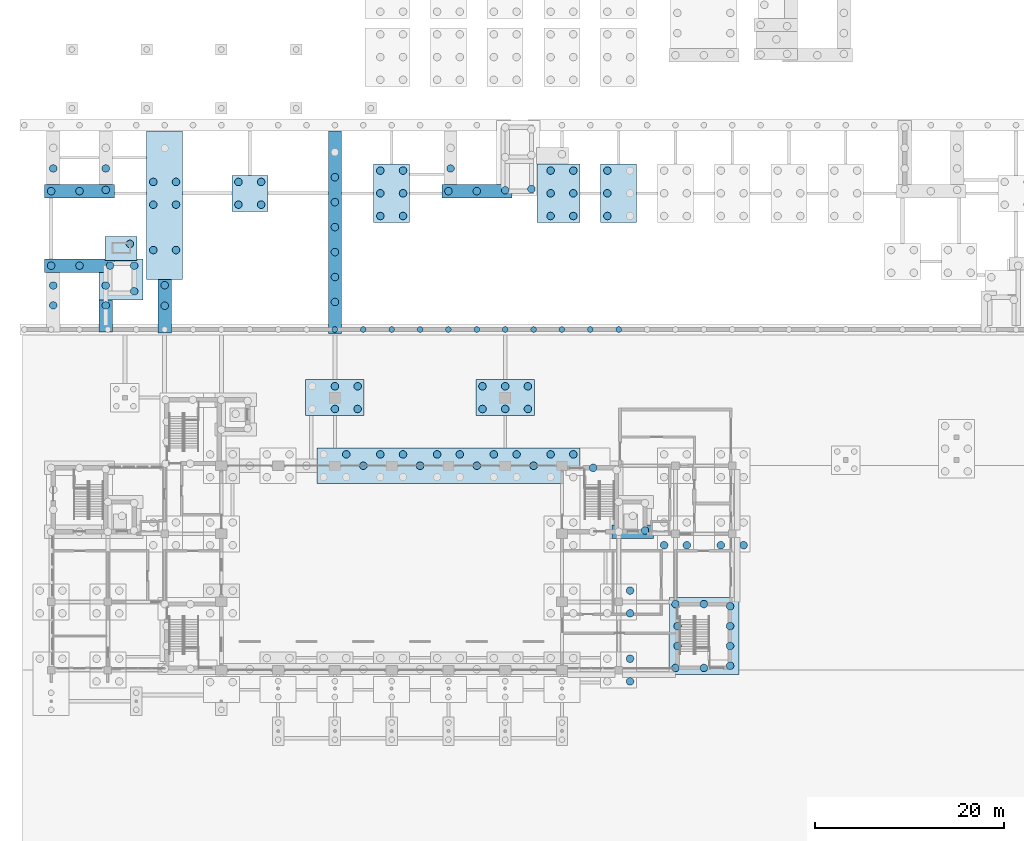
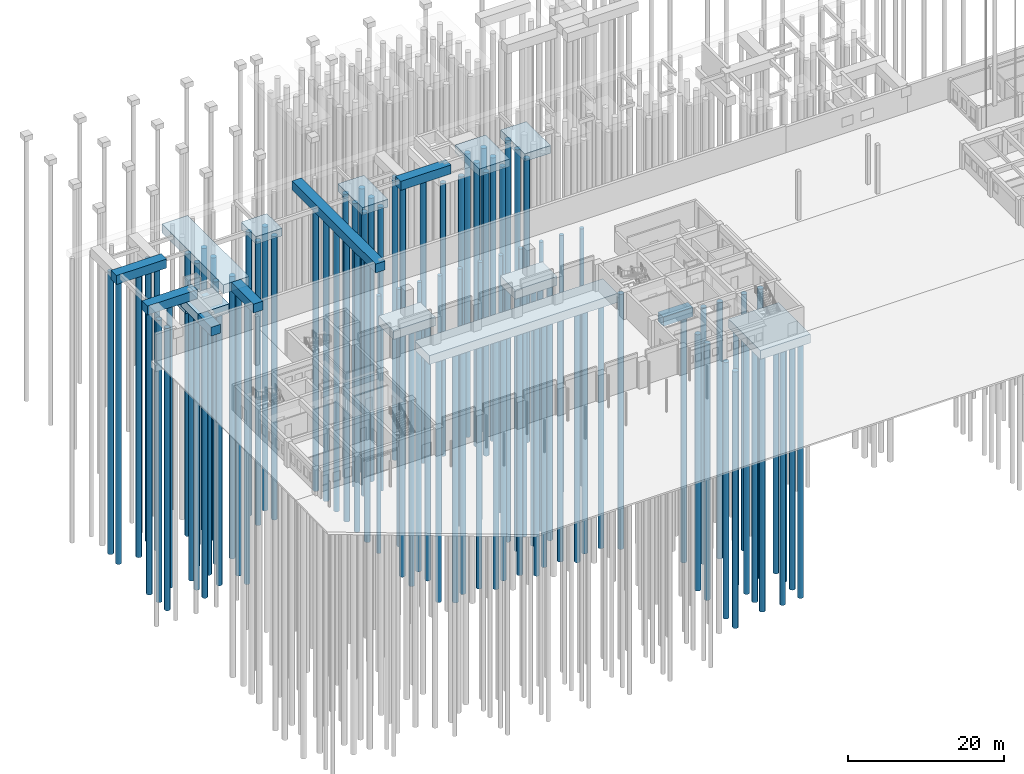
# One storey, part 3 of 37: 107 piles, 18 footings.
"""IFC4 building model written with IfcOpenShell, lengths in metres."""

from ifc_helpers import new_model, si_unit, direction, frame, origin, origin_2d, place, context, subcontext, project, spatial, polyline, circle, outline, extrude, material, layer, layer_set, material_profile, profile_set, type_object, element, save


model = new_model("IFC4")

# Units and contexts
model_context = context("Model", 3, precision=1e-05, world=origin(), true_north=direction((0.0, 1.0)))
body_context = subcontext(model_context, "Body", "Model", "MODEL_VIEW")
ifc_project = project(units=[si_unit("LENGTHUNIT", "METRE"), si_unit("AREAUNIT", "SQUARE_METRE"), si_unit("VOLUMEUNIT", "CUBIC_METRE"), si_unit("PLANEANGLEUNIT", "RADIAN"), si_unit("MASSUNIT", "GRAM", prefix="KILO")], contexts=[model_context])

# Site, building, storey
site_placement = place(None, origin())
site = spatial("IfcSite", under=ifc_project, at=site_placement, CompositionType="ELEMENT")
building_placement = place(site_placement, origin())
building = spatial("IfcBuilding", under=site, at=building_placement, Name="Laocheng Heights Fire and Rescue Headquarters", CompositionType="ELEMENT")
storey_placement = place(building_placement, origin())
storey = spatial("IfcBuildingStorey", under=building, at=storey_placement, Name="L00", CompositionType="ELEMENT", Elevation=0.0)

# Piles
ifc_material_1 = material(Name="Concrete C35", Category="concrete")
ifc_material_profile_1 = material_profile(ifc_material_1, circle(Radius=0.300048828125, at=origin_2d()), Name="BORED PILE D600")
ifc_profile_set_1 = profile_set([ifc_material_profile_1], Name="Concrete C35")
pile_type_1 = type_object("IfcPileType", Name="BORED PILE D600", PredefinedType="BORED", material=ifc_profile_set_1)
for number, where, z_axis, x_axis, name in (
    (1, (30.0, 36.0, -1.300048828125), (0.0, 0.0, -1.0), (1.0, 0.0, 0.0), "Bored pile D600"),
    (2, (33.0, 36.0, -1.300048828125), (0.0, 0.0, -1.0), (1.0, 0.0, 0.0), "Bored pile D600"),
    (3, (36.0, 36.0, -1.300048828125), (0.0, 0.0, -1.0), (1.0, 0.0, 0.0), "Bored pile D600"),
    (4, (39.0, 36.0, -1.300048828125), (0.0, 0.0, -1.0), (1.0, 0.0, 0.0), "Bored pile D600"),
    (5, (42.0, 36.0, -1.300048828125), (0.0, 0.0, -1.0), (1.0, 0.0, 0.0), "Bored pile D600"),
    (6, (45.0, 36.0, -1.300048828125), (0.0, 0.0, -1.0), (1.0, 0.0, 0.0), "Bored pile D600"),
    (7, (48.0, 36.0, -1.300048828125), (0.0, 0.0, -1.0), (1.0, 0.0, 0.0), "Bored pile D600"),
    (8, (51.0, 36.0, -1.300048828125), (0.0, 0.0, -1.0), (1.0, 0.0, 0.0), "Bored pile D600"),
    (9, (54.0, 36.0, -1.300048828125), (0.0, 0.0, -1.0), (1.0, 0.0, 0.0), "Bored pile D600"),
    (10, (57.0, 36.0, -1.300048828125), (0.0, 0.0, -1.0), (1.0, 0.0, 0.0), "Bored pile D600"),
    (11, (60.0, 36.0, -1.300048828125), (0.0, 0.0, -1.0), (1.0, 0.0, 0.0), "Bored pile D600"),
):
    element("IfcPile", number, at=place(storey_placement, frame(where, z_axis=z_axis, x_axis=x_axis)), inside=storey, type_object=pile_type_1, Name=name, PredefinedType="BORED", context=body_context, shape_type="SweptSolid", body=[
        extrude(circle(Radius=0.300048828125, at=origin_2d()), origin(), (0.0, 0.0, 1.0), 40.199951171875),
    ])
ifc_material_2 = material(Name="Concrete C35", Category="concrete")
ifc_material_profile_2 = material_profile(ifc_material_2, circle(Radius=0.39990234375, at=origin_2d()), Name="BORED PILE D800")
ifc_profile_set_2 = profile_set([ifc_material_profile_2], Name="Concrete C35")
pile_type_2 = type_object("IfcPileType", Name="BORED PILE D800", PredefinedType="BORED", material=ifc_profile_set_2)
for number, where, z_axis, x_axis, name in (
    (12, (61.199951171875, -1.199951171875, -1.449951171875), (0.0, 0.0, -1.0), (1.0, 0.0, 0.0), "Bored pile D800"),
    (13, (61.199951171875, 1.199951171875, -1.449951171875), (0.0, 0.0, -1.0), (1.0, 0.0, 0.0), "Bored pile D800"),
):
    element("IfcPile", number, at=place(storey_placement, frame(where, z_axis=z_axis, x_axis=x_axis)), inside=storey, type_object=pile_type_2, Name=name, PredefinedType="BORED", context=body_context, shape_type="SweptSolid", body=[
        extrude(circle(Radius=0.39990234375, at=origin_2d()), origin(), (0.0, 0.0, 1.0), 40.050048828125),
    ])
for number, where, z_axis, x_axis, name in (
    (14, (71.77490234375, 0.449951171875, -1.64990234375), (0.0, 0.0, -1.0), (1.0, 0.0, 0.0), "Bored pile D800"),
    (15, (71.77490234375, 2.550048828125, -1.64990234375), (0.0, 0.0, -1.0), (1.0, 0.0, 0.0), "Bored pile D800"),
    (16, (71.77490234375, 4.64990234375, -1.64990234375), (0.0, 0.0, -1.0), (1.0, 0.0, 0.0), "Bored pile D800"),
    (17, (71.77490234375, 6.75, -1.64990234375), (0.0, 0.0, -1.0), (1.0, 0.0, 0.0), "Bored pile D800"),
    (18, (66.0, 6.97509765625, -1.64990234375), (0.0, 0.0, -1.0), (1.0, 0.0, 0.0), "Bored pile D800"),
    (19, (69.0, 6.97509765625, -1.64990234375), (0.0, 0.0, -1.0), (1.0, 0.0, 0.0), "Bored pile D800"),
    (20, (66.0, 0.22509765625, -1.64990234375), (0.0, 0.0, -1.0), (1.0, 0.0, 0.0), "Bored pile D800"),
    (21, (69.0, 0.22509765625, -1.64990234375), (0.0, 0.0, -1.0), (1.0, 0.0, 0.0), "Bored pile D800"),
    (22, (66.22509765625, 2.550048828125, -1.64990234375), (0.0, 0.0, -1.0), (1.0, 0.0, 0.0), "Bored pile D800"),
    (23, (66.22509765625, 4.64990234375, -1.64990234375), (0.0, 0.0, -1.0), (1.0, 0.0, 0.0), "Bored pile D800"),
):
    element("IfcPile", number, at=place(storey_placement, frame(where, z_axis=z_axis, x_axis=x_axis)), inside=storey, type_object=pile_type_2, Name=name, PredefinedType="BORED", context=body_context, shape_type="SweptSolid", body=[
        extrude(circle(Radius=0.39990234375, at=origin_2d()), origin(), (0.0, 0.0, 1.0), 39.85009765625),
    ])
for number, where, z_axis, x_axis, name in (
    (24, (61.199951171875, 6.0, -1.449951171875), (0.0, 0.0, -1.0), (1.0, 0.0, 0.0), "Bored pile D800"),
    (25, (61.199951171875, 8.39990234375, -1.449951171875), (0.0, 0.0, -1.0), (1.0, 0.0, 0.0), "Bored pile D800"),
    (26, (64.800048828125, 13.199951171875, -1.449951171875), (0.0, 0.0, -1.0), (1.0, 0.0, 0.0), "Bored pile D800"),
    (27, (67.199951171875, 13.199951171875, -1.449951171875), (0.0, 0.0, -1.0), (1.0, 0.0, 0.0), "Bored pile D800"),
    (28, (70.800048828125, 13.199951171875, -1.449951171875), (0.0, 0.0, -1.0), (1.0, 0.0, 0.0), "Bored pile D800"),
    (29, (73.199951171875, 13.199951171875, -1.449951171875), (0.0, 0.0, -1.0), (1.0, 0.0, 0.0), "Bored pile D800"),
):
    element("IfcPile", number, at=place(storey_placement, frame(where, z_axis=z_axis, x_axis=x_axis)), inside=storey, type_object=pile_type_2, Name=name, PredefinedType="BORED", context=body_context, shape_type="SweptSolid", body=[
        extrude(circle(Radius=0.39990234375, at=origin_2d()), origin(), (0.0, 0.0, 1.0), 40.050048828125),
    ])
pile_1_placement = place(storey_placement, frame((62.77490234375, 14.7548828125, -3.10009765625), z_axis=(0.0, 0.0, -1.0), x_axis=(1.0, 0.0, 0.0)))
element("IfcPile", 30, at=pile_1_placement, inside=storey, type_object=pile_type_2, Name="Bored pile D800", PredefinedType="BORED", context=body_context, shape_type="SweptSolid", body=[
    extrude(circle(Radius=0.39990234375, at=origin_2d()), origin(), (0.0, 0.0, 1.0), 38.39990234375),
])
for number, where, z_axis, x_axis, name in (
    (31, (57.300048828125, 21.375, -1.64990234375), (0.0, 0.0, -1.0), (1.0, 0.0, 0.0), "Bored pile D800"),
    (32, (31.199951171875, 22.800048828125, -1.64990234375), (0.0, 0.0, -1.0), (1.0, 0.0, 0.0), "Bored pile D800"),
    (33, (34.800048828125, 22.800048828125, -1.64990234375), (0.0, 0.0, -1.0), (1.0, 0.0, 0.0), "Bored pile D800"),
    (34, (37.199951171875, 22.800048828125, -1.64990234375), (0.0, 0.0, -1.0), (1.0, 0.0, 0.0), "Bored pile D800"),
    (35, (40.800048828125, 22.800048828125, -1.64990234375), (0.0, 0.0, -1.0), (1.0, 0.0, 0.0), "Bored pile D800"),
    (36, (43.199951171875, 22.800048828125, -1.64990234375), (0.0, 0.0, -1.0), (1.0, 0.0, 0.0), "Bored pile D800"),
    (37, (46.800048828125, 22.800048828125, -1.64990234375), (0.0, 0.0, -1.0), (1.0, 0.0, 0.0), "Bored pile D800"),
    (38, (49.199951171875, 22.800048828125, -1.64990234375), (0.0, 0.0, -1.0), (1.0, 0.0, 0.0), "Bored pile D800"),
    (39, (52.800048828125, 22.800048828125, -1.64990234375), (0.0, 0.0, -1.0), (1.0, 0.0, 0.0), "Bored pile D800"),
    (40, (55.199951171875, 22.800048828125, -1.64990234375), (0.0, 0.0, -1.0), (1.0, 0.0, 0.0), "Bored pile D800"),
    (41, (33.0, 21.60009765625, -1.64990234375), (0.0, 0.0, -1.0), (1.0, 0.0, 0.0), "Bored pile D800"),
    (42, (39.0, 21.60009765625, -1.64990234375), (0.0, 0.0, -1.0), (1.0, 0.0, 0.0), "Bored pile D800"),
    (43, (45.0, 21.60009765625, -1.64990234375), (0.0, 0.0, -1.0), (1.0, 0.0, 0.0), "Bored pile D800"),
    (44, (51.0, 21.60009765625, -1.64990234375), (0.0, 0.0, -1.0), (1.0, 0.0, 0.0), "Bored pile D800"),
):
    element("IfcPile", number, at=place(storey_placement, frame(where, z_axis=z_axis, x_axis=x_axis)), inside=storey, type_object=pile_type_2, Name=name, PredefinedType="BORED", context=body_context, shape_type="SweptSolid", body=[
        extrude(circle(Radius=0.39990234375, at=origin_2d()), origin(), (0.0, 0.0, 1.0), 39.85009765625),
    ])
for number, where, z_axis, x_axis, name in (
    (45, (30.0, 27.60009765625, -1.699951171875), (0.0, 0.0, -1.0), (1.0, 0.0, 0.0), "Bored pile D800"),
    (46, (32.39990234375, 27.60009765625, -1.699951171875), (0.0, 0.0, -1.0), (1.0, 0.0, 0.0), "Bored pile D800"),
    (47, (30.0, 30.0, -1.699951171875), (0.0, 0.0, -1.0), (1.0, 0.0, 0.0), "Bored pile D800"),
    (48, (32.39990234375, 30.0, -1.699951171875), (0.0, 0.0, -1.0), (1.0, 0.0, 0.0), "Bored pile D800"),
    (49, (45.60009765625, 27.60009765625, -1.699951171875), (0.0, 0.0, -1.0), (1.0, 0.0, 0.0), "Bored pile D800"),
    (50, (48.0, 27.60009765625, -1.699951171875), (0.0, 0.0, -1.0), (1.0, 0.0, 0.0), "Bored pile D800"),
    (51, (50.39990234375, 27.60009765625, -1.699951171875), (0.0, 0.0, -1.0), (1.0, 0.0, 0.0), "Bored pile D800"),
    (52, (45.60009765625, 30.0, -1.699951171875), (0.0, 0.0, -1.0), (1.0, 0.0, 0.0), "Bored pile D800"),
    (53, (48.0, 30.0, -1.699951171875), (0.0, 0.0, -1.0), (1.0, 0.0, 0.0), "Bored pile D800"),
    (54, (50.39990234375, 30.0, -1.699951171875), (0.0, 0.0, -1.0), (1.0, 0.0, 0.0), "Bored pile D800"),
):
    element("IfcPile", number, at=place(storey_placement, frame(where, z_axis=z_axis, x_axis=x_axis)), inside=storey, type_object=pile_type_2, Name=name, PredefinedType="BORED", context=body_context, shape_type="SweptSolid", body=[
        extrude(circle(Radius=0.39990234375, at=origin_2d()), origin(), (0.0, 0.0, 1.0), 39.800048828125),
    ])
pile_2_placement = place(storey_placement, frame((5.77490234375, 38.550048828125, 1.10009765625), z_axis=(0.0, 0.0, -1.0), x_axis=(1.0, 0.0, 0.0)))
element("IfcPile", 55, at=pile_2_placement, inside=storey, type_object=pile_type_2, Name="Bored pile D800", PredefinedType="BORED", context=body_context, shape_type="SweptSolid", body=[
    extrude(circle(Radius=0.39990234375, at=origin_2d()), origin(), (0.0, 0.0, 1.0), 42.60009765625),
])
for number, where, z_axis, x_axis, name in (
    (56, (12.0, 38.5166015625, 2.60009765625), (0.0, 0.0, -1.0), (1.0, 0.0, 0.0), "Bored pile D800"),
    (57, (12.0, 40.683349609375, 2.60009765625), (0.0, 0.0, -1.0), (1.0, 0.0, 0.0), "Bored pile D800"),
    (58, (0.22509765625, 38.550048828125, 2.60009765625), (0.0, 0.0, -1.0), (1.0, 0.0, 0.0), "Bored pile D800"),
    (59, (0.22509765625, 40.64990234375, 2.60009765625), (0.0, 0.0, -1.0), (1.0, 0.0, 0.0), "Bored pile D800"),
):
    element("IfcPile", number, at=place(storey_placement, frame(where, z_axis=z_axis, x_axis=x_axis)), inside=storey, type_object=pile_type_2, Name=name, PredefinedType="BORED", context=body_context, shape_type="SweptSolid", body=[
        extrude(circle(Radius=0.39990234375, at=origin_2d()), origin(), (0.0, 0.0, 1.0), 44.10009765625),
    ])
for number, where, z_axis, x_axis, name in (
    (60, (8.77490234375, 40.050048828125, 1.10009765625), (0.0, 0.0, -1.0), (1.0, 0.0, 0.0), "Bored pile D800"),
    (61, (8.77490234375, 42.75, 1.10009765625), (0.0, 0.0, -1.0), (1.0, 0.0, 0.0), "Bored pile D800"),
    (62, (6.22509765625, 42.75, 1.10009765625), (0.0, 0.0, -1.0), (1.0, 0.0, 0.0), "Bored pile D800"),
    (63, (5.77490234375, 40.64990234375, 1.10009765625), (0.0, 0.0, -1.0), (1.0, 0.0, 0.0), "Bored pile D800"),
):
    element("IfcPile", number, at=place(storey_placement, frame(where, z_axis=z_axis, x_axis=x_axis)), inside=storey, type_object=pile_type_2, Name=name, PredefinedType="BORED", context=body_context, shape_type="SweptSolid", body=[
        extrude(circle(Radius=0.39990234375, at=origin_2d()), origin(), (0.0, 0.0, 1.0), 42.60009765625),
    ])
for number, where, z_axis, x_axis, name in (
    (64, (0.0, 42.75, 2.60009765625), (0.0, 0.0, -1.0), (1.0, 0.0, 0.0), "Bored pile D800"),
    (65, (3.0, 42.75, 2.60009765625), (0.0, 0.0, -1.0), (1.0, 0.0, 0.0), "Bored pile D800"),
):
    element("IfcPile", number, at=place(storey_placement, frame(where, z_axis=z_axis, x_axis=x_axis)), inside=storey, type_object=pile_type_2, Name=name, PredefinedType="BORED", context=body_context, shape_type="SweptSolid", body=[
        extrude(circle(Radius=0.39990234375, at=origin_2d()), origin(), (0.0, 0.0, 1.0), 44.10009765625),
    ])
pile_3_placement = place(storey_placement, frame((8.324951171875, 45.050048828125, -0.199951171875), z_axis=(0.0, 0.0, -1.0), x_axis=(1.0, 0.0, 0.0)))
element("IfcPile", 66, at=pile_3_placement, inside=storey, type_object=pile_type_2, Name="Bored pile D800", PredefinedType="BORED", context=body_context, shape_type="SweptSolid", body=[
    extrude(circle(Radius=0.39990234375, at=origin_2d()), origin(), (0.0, 0.0, 1.0), 41.300048828125),
])
for number, where, z_axis, x_axis, name in (
    (67, (30.0, 38.91259765625, 2.60009765625), (0.0, 0.0, -1.0), (1.0, 0.0, 0.0), "Bored pile D800"),
    (68, (30.0, 41.550048828125, 2.60009765625), (0.0, 0.0, -1.0), (1.0, 0.0, 0.0), "Bored pile D800"),
    (69, (30.0, 44.1875, 2.60009765625), (0.0, 0.0, -1.0), (1.0, 0.0, 0.0), "Bored pile D800"),
    (70, (30.0, 46.824951171875, 2.60009765625), (0.0, 0.0, -1.0), (1.0, 0.0, 0.0), "Bored pile D800"),
    (71, (30.0, 49.46240234375, 2.60009765625), (0.0, 0.0, -1.0), (1.0, 0.0, 0.0), "Bored pile D800"),
    (72, (30.0, 52.10009765625, 2.60009765625), (0.0, 0.0, -1.0), (1.0, 0.0, 0.0), "Bored pile D800"),
    (73, (10.800048828125, 44.39990234375, 2.60009765625), (0.0, 0.0, -1.0), (1.0, 0.0, 0.0), "Bored pile D800"),
    (74, (13.199951171875, 44.39990234375, 2.60009765625), (0.0, 0.0, -1.0), (1.0, 0.0, 0.0), "Bored pile D800"),
    (75, (10.800048828125, 49.199951171875, 2.60009765625), (0.0, 0.0, -1.0), (1.0, 0.0, 0.0), "Bored pile D800"),
    (76, (13.199951171875, 49.199951171875, 2.60009765625), (0.0, 0.0, -1.0), (1.0, 0.0, 0.0), "Bored pile D800"),
    (77, (10.800048828125, 51.60009765625, 2.60009765625), (0.0, 0.0, -1.0), (1.0, 0.0, 0.0), "Bored pile D800"),
    (78, (13.199951171875, 51.60009765625, 2.60009765625), (0.0, 0.0, -1.0), (1.0, 0.0, 0.0), "Bored pile D800"),
):
    element("IfcPile", number, at=place(storey_placement, frame(where, z_axis=z_axis, x_axis=x_axis)), inside=storey, type_object=pile_type_2, Name=name, PredefinedType="BORED", context=body_context, shape_type="SweptSolid", body=[
        extrude(circle(Radius=0.39990234375, at=origin_2d()), origin(), (0.0, 0.0, 1.0), 44.10009765625),
    ])
for number, where, z_axis, x_axis, name in (
    (79, (19.800048828125, 49.199951171875, 2.800048828125), (0.0, 0.0, -1.0), (1.0, 0.0, 0.0), "Bored pile D800"),
    (80, (22.199951171875, 49.199951171875, 2.800048828125), (0.0, 0.0, -1.0), (1.0, 0.0, 0.0), "Bored pile D800"),
    (81, (19.800048828125, 51.60009765625, 2.800048828125), (0.0, 0.0, -1.0), (1.0, 0.0, 0.0), "Bored pile D800"),
    (82, (22.199951171875, 51.60009765625, 2.800048828125), (0.0, 0.0, -1.0), (1.0, 0.0, 0.0), "Bored pile D800"),
    (83, (34.800048828125, 48.0, 2.800048828125), (0.0, 0.0, -1.0), (1.0, 0.0, 0.0), "Bored pile D800"),
    (84, (37.199951171875, 48.0, 2.800048828125), (0.0, 0.0, -1.0), (1.0, 0.0, 0.0), "Bored pile D800"),
    (85, (34.800048828125, 50.39990234375, 2.800048828125), (0.0, 0.0, -1.0), (1.0, 0.0, 0.0), "Bored pile D800"),
    (86, (37.199951171875, 50.39990234375, 2.800048828125), (0.0, 0.0, -1.0), (1.0, 0.0, 0.0), "Bored pile D800"),
    (87, (34.800048828125, 52.800048828125, 2.800048828125), (0.0, 0.0, -1.0), (1.0, 0.0, 0.0), "Bored pile D800"),
    (88, (37.199951171875, 52.800048828125, 2.800048828125), (0.0, 0.0, -1.0), (1.0, 0.0, 0.0), "Bored pile D800"),
    (89, (52.800048828125, 48.0, 2.800048828125), (0.0, 0.0, -1.0), (1.0, 0.0, 0.0), "Bored pile D800"),
    (90, (55.199951171875, 48.0, 2.800048828125), (0.0, 0.0, -1.0), (1.0, 0.0, 0.0), "Bored pile D800"),
    (91, (52.800048828125, 50.39990234375, 2.800048828125), (0.0, 0.0, -1.0), (1.0, 0.0, 0.0), "Bored pile D800"),
    (92, (55.199951171875, 50.39990234375, 2.800048828125), (0.0, 0.0, -1.0), (1.0, 0.0, 0.0), "Bored pile D800"),
    (93, (52.800048828125, 52.800048828125, 2.800048828125), (0.0, 0.0, -1.0), (1.0, 0.0, 0.0), "Bored pile D800"),
    (94, (55.199951171875, 52.800048828125, 2.800048828125), (0.0, 0.0, -1.0), (1.0, 0.0, 0.0), "Bored pile D800"),
    (95, (58.800048828125, 48.0, 2.800048828125), (0.0, 0.0, -1.0), (1.0, 0.0, 0.0), "Bored pile D800"),
    (96, (58.800048828125, 50.39990234375, 2.800048828125), (0.0, 0.0, -1.0), (1.0, 0.0, 0.0), "Bored pile D800"),
    (97, (58.800048828125, 52.800048828125, 2.800048828125), (0.0, 0.0, -1.0), (1.0, 0.0, 0.0), "Bored pile D800"),
):
    element("IfcPile", number, at=place(storey_placement, frame(where, z_axis=z_axis, x_axis=x_axis)), inside=storey, type_object=pile_type_2, Name=name, PredefinedType="BORED", context=body_context, shape_type="SweptSolid", body=[
        extrude(circle(Radius=0.39990234375, at=origin_2d()), origin(), (0.0, 0.0, 1.0), 44.300048828125),
    ])
for number, where, z_axis, x_axis, name in (
    (98, (5.77490234375, 50.7548828125, 2.60009765625), (0.0, 0.0, -1.0), (1.0, 0.0, 0.0), "Bored pile D800"),
    (99, (0.0, 50.625, 2.60009765625), (0.0, 0.0, -1.0), (1.0, 0.0, 0.0), "Bored pile D800"),
    (100, (3.0, 50.625, 2.60009765625), (0.0, 0.0, -1.0), (1.0, 0.0, 0.0), "Bored pile D800"),
    (101, (42.0, 50.625, 2.60009765625), (0.0, 0.0, -1.0), (1.0, 0.0, 0.0), "Bored pile D800"),
    (102, (45.0, 50.625, 2.60009765625), (0.0, 0.0, -1.0), (1.0, 0.0, 0.0), "Bored pile D800"),
):
    element("IfcPile", number, at=place(storey_placement, frame(where, z_axis=z_axis, x_axis=x_axis)), inside=storey, type_object=pile_type_2, Name=name, PredefinedType="BORED", context=body_context, shape_type="SweptSolid", body=[
        extrude(circle(Radius=0.39990234375, at=origin_2d()), origin(), (0.0, 0.0, 1.0), 44.10009765625),
    ])
for number, where, z_axis, x_axis, name in (
    (103, (50.77490234375, 50.85009765625, 1.10009765625), (0.0, 0.0, -1.0), (1.0, 0.0, 0.0), "Bored pile D800"),
    (104, (48.0, 50.719970703125, 1.10009765625), (0.0, 0.0, -1.0), (1.0, 0.0, 0.0), "Bored pile D800"),
):
    element("IfcPile", number, at=place(storey_placement, frame(where, z_axis=z_axis, x_axis=x_axis)), inside=storey, type_object=pile_type_2, Name=name, PredefinedType="BORED", context=body_context, shape_type="SweptSolid", body=[
        extrude(circle(Radius=0.39990234375, at=origin_2d()), origin(), (0.0, 0.0, 1.0), 42.60009765625),
    ])
for number, where, z_axis, x_axis, name in (
    (105, (0.22509765625, 53.02490234375, 2.60009765625), (0.0, 0.0, -1.0), (1.0, 0.0, 0.0), "Bored pile D800"),
    (106, (5.77490234375, 53.02490234375, 2.60009765625), (0.0, 0.0, -1.0), (1.0, 0.0, 0.0), "Bored pile D800"),
    (107, (42.22509765625, 53.02490234375, 2.60009765625), (0.0, 0.0, -1.0), (1.0, 0.0, 0.0), "Bored pile D800"),
):
    element("IfcPile", number, at=place(storey_placement, frame(where, z_axis=z_axis, x_axis=x_axis)), inside=storey, type_object=pile_type_2, Name=name, PredefinedType="BORED", context=body_context, shape_type="SweptSolid", body=[
        extrude(circle(Radius=0.39990234375, at=origin_2d()), origin(), (0.0, 0.0, 1.0), 44.10009765625),
    ])

# Footings
ifc_material_3 = material(Name="Concrete C40", Category="concrete")
ifc_layer_1 = layer(ifc_material_3, 1.39990234375)
ifc_layer_set_1 = layer_set([ifc_layer_1], Name="Concrete C40")
footing_type_1 = type_object("IfcFootingType", Name="RC PILE CAP 1400x21425x1400 ON 7 D800 PILES", PredefinedType="PILE_CAP", material=ifc_layer_set_1)
footing_1_placement = place(storey_placement, frame((0.0, 0.0, 2.60009765625)))
element("IfcFooting", 108, at=footing_1_placement, inside=storey, type_object=footing_type_1, Name="Pile cap", PredefinedType="PILE_CAP", context=body_context, shape_type="SweptSolid", body=[
    extrude(outline(polyline([(30.699951171875, 57.0), (29.300048828125, 57.0), (29.300048828125, 35.574951171875), (30.699951171875, 35.574951171875), (30.699951171875, 57.0)])), origin(), (0.0, 0.0, 1.0), 1.39990234375),
])
ifc_material_4 = material(Name="Concrete C40", Category="concrete")
ifc_layer_2 = layer(ifc_material_4, 1.39990234375)
ifc_layer_set_2 = layer_set([ifc_layer_2], Name="Concrete C40")
footing_type_2 = type_object("IfcFootingType", Name="RC PILE CAP 1400x3375x1400 ON 1 D800 PILES", PredefinedType="PILE_CAP", material=ifc_layer_set_2)
footing_2_placement = place(storey_placement, frame((0.0, 0.0, 1.10009765625)))
element("IfcFooting", 109, at=footing_2_placement, inside=storey, type_object=footing_type_2, Name="Pile cap", PredefinedType="PILE_CAP", context=body_context, shape_type="SweptSolid", body=[
    extrude(outline(polyline([(6.47509765625, 35.75), (6.47509765625, 39.125), (5.074951171875, 39.125), (5.074951171875, 35.75), (6.47509765625, 35.75)])), origin(), (0.0, 0.0, 1.0), 1.39990234375),
])
ifc_material_5 = material(Name="Concrete C40", Category="concrete")
ifc_layer_3 = layer(ifc_material_5, 1.39990234375)
ifc_layer_set_3 = layer_set([ifc_layer_3], Name="Concrete C40")
footing_type_3 = type_object("IfcFootingType", Name="RC PILE CAP 1400x5650x1400 ON 2 D800 PILES", PredefinedType="PILE_CAP", material=ifc_layer_set_3)
footing_3_placement = place(storey_placement, frame((0.0, 0.0, 2.60009765625)))
element("IfcFooting", 110, at=footing_3_placement, inside=storey, type_object=footing_type_3, Name="Pile cap", PredefinedType="PILE_CAP", context=body_context, shape_type="SweptSolid", body=[
    extrude(outline(polyline([(12.699951171875, 35.64990234375), (12.699951171875, 41.300048828125), (11.300048828125, 41.300048828125), (11.300048828125, 35.64990234375), (12.699951171875, 35.64990234375)])), origin(), (0.0, 0.0, 1.0), 1.39990234375),
])
ifc_material_6 = material(Name="Concrete C40", Category="concrete")
ifc_layer_4 = layer(ifc_material_6, 1.39990234375)
ifc_layer_set_4 = layer_set([ifc_layer_4], Name="Concrete C40")
footing_type_4 = type_object("IfcFootingType", Name="RC PILE CAP 27800x3800x1400 ON 24 D800 PILES", PredefinedType="PILE_CAP", material=ifc_layer_set_4)
footing_4_placement = place(storey_placement, frame((0.0, 0.0, -1.64990234375)))
element("IfcFooting", 111, at=footing_4_placement, inside=storey, type_object=footing_type_4, Name="Pile cap", PredefinedType="PILE_CAP", context=body_context, shape_type="SweptSolid", body=[
    extrude(outline(polyline([(55.89990234375, 19.699951171875), (55.89990234375, 23.5), (28.10009765625, 23.5), (28.10009765625, 19.699951171875), (55.89990234375, 19.699951171875)])), origin(), (0.0, 0.0, 1.0), 1.39990234375),
])
ifc_material_7 = material(Name="Concrete C40", Category="concrete")
ifc_layer_5 = layer(ifc_material_7, 1.199951171875)
ifc_layer_set_5 = layer_set([ifc_layer_5], Name="Concrete C40")
footing_type_5 = type_object("IfcFootingType", Name="RC PILE CAP 3400x2525x1200 ON 1 D800 PILES", PredefinedType="PILE_CAP", material=ifc_layer_set_5)
footing_5_placement = place(storey_placement, frame((0.0, 0.0, -0.199951171875)))
element("IfcFooting", 112, at=footing_5_placement, inside=storey, type_object=footing_type_5, Name="Pile cap", PredefinedType="PILE_CAP", context=body_context, shape_type="SweptSolid", body=[
    extrude(outline(polyline([(5.699951171875, 43.300048828125), (9.10009765625, 43.300048828125), (9.10009765625, 45.824951171875), (5.699951171875, 45.824951171875), (5.699951171875, 43.300048828125)])), origin(), (0.0, 0.0, 1.0), 1.199951171875),
])
ifc_material_8 = material(Name="Concrete C40", Category="concrete")
ifc_layer_6 = layer(ifc_material_8, 1.39990234375)
ifc_layer_set_6 = layer_set([ifc_layer_6], Name="Concrete C40")
footing_type_6 = type_object("IfcFootingType", Name="RC PILE CAP 3800x15700x1400 ON 7 D800 PILES", PredefinedType="PILE_CAP", material=ifc_layer_set_6)
footing_6_placement = place(storey_placement, frame((0.0, 0.0, 2.60009765625)))
element("IfcFooting", 113, at=footing_6_placement, inside=storey, type_object=footing_type_6, Name="Pile cap", PredefinedType="PILE_CAP", context=body_context, shape_type="SweptSolid", body=[
    extrude(outline(polyline([(13.89990234375, 41.300048828125), (13.89990234375, 57.0), (10.10009765625, 57.0), (10.10009765625, 41.300048828125), (13.89990234375, 41.300048828125)])), origin(), (0.0, 0.0, 1.0), 1.39990234375),
])
ifc_material_9 = material(Name="Concrete C40", Category="concrete")
ifc_layer_7 = layer(ifc_material_9, 1.199951171875)
ifc_layer_set_7 = layer_set([ifc_layer_7], Name="Concrete C40")
footing_type_7 = type_object("IfcFootingType", Name="RC PILE CAP 3800x3800x1200 ON 4 D800 PILES", PredefinedType="PILE_CAP", material=ifc_layer_set_7)
footing_7_placement = place(storey_placement, frame((0.0, 0.0, 2.800048828125)))
element("IfcFooting", 114, at=footing_7_placement, inside=storey, type_object=footing_type_7, Name="Pile cap", PredefinedType="PILE_CAP", context=body_context, shape_type="SweptSolid", body=[
    extrude(outline(polyline([(22.89990234375, 48.5), (22.89990234375, 52.300048828125), (19.10009765625, 52.300048828125), (19.10009765625, 48.5), (22.89990234375, 48.5)])), origin(), (0.0, 0.0, 1.0), 1.199951171875),
])
ifc_material_10 = material(Name="Concrete C40", Category="concrete")
ifc_layer_8 = layer(ifc_material_10, 1.199951171875)
ifc_layer_set_8 = layer_set([ifc_layer_8], Name="Concrete C40")
footing_type_8 = type_object("IfcFootingType", Name="RC PILE CAP 3800x6200x1200 ON 6 D800 PILES", PredefinedType="PILE_CAP", material=ifc_layer_set_8)
footing_8_placement = place(storey_placement, frame((0.0, 0.0, 2.800048828125)))
element("IfcFooting", 115, at=footing_8_placement, inside=storey, type_object=footing_type_8, Name="Pile cap", PredefinedType="PILE_CAP", context=body_context, shape_type="SweptSolid", body=[
    extrude(outline(polyline([(37.89990234375, 47.300048828125), (37.89990234375, 53.5), (34.10009765625, 53.5), (34.10009765625, 47.300048828125), (37.89990234375, 47.300048828125)])), origin(), (0.0, 0.0, 1.0), 1.199951171875),
])
footing_9_placement = place(storey_placement, frame((0.0, 0.0, 2.800048828125)))
element("IfcFooting", 116, at=footing_9_placement, inside=storey, type_object=footing_type_8, Name="Pile cap", PredefinedType="PILE_CAP", context=body_context, shape_type="SweptSolid", body=[
    extrude(outline(polyline([(61.89990234375, 47.300048828125), (61.89990234375, 53.5), (58.10009765625, 53.5), (58.10009765625, 47.300048828125), (61.89990234375, 47.300048828125)])), origin(), (0.0, 0.0, 1.0), 1.199951171875),
])
ifc_material_11 = material(Name="Concrete C40", Category="concrete")
ifc_layer_9 = layer(ifc_material_11, 1.39990234375)
ifc_layer_set_9 = layer_set([ifc_layer_9], Name="Concrete C40")
footing_type_9 = type_object("IfcFootingType", Name="RC PILE CAP 4400x1400x1400 ON 2 D800 PILES", PredefinedType="PILE_CAP", material=ifc_layer_set_9)
footing_10_placement = place(storey_placement, frame((0.0, 0.0, -3.10009765625)))
element("IfcFooting", 117, at=footing_10_placement, inside=storey, type_object=footing_type_9, Name="Pile cap", PredefinedType="PILE_CAP", context=body_context, shape_type="SweptSolid", body=[
    extrude(outline(polyline([(63.699951171875, 13.925048828125), (63.699951171875, 15.324951171875), (59.300048828125, 15.324951171875), (59.300048828125, 13.925048828125), (63.699951171875, 13.925048828125)])), origin(), (0.0, 0.0, 1.0), 1.400146484375),
])
ifc_material_12 = material(Name="Concrete C40", Category="concrete")
ifc_layer_10 = layer(ifc_material_12, 1.199951171875)
ifc_layer_set_10 = layer_set([ifc_layer_10], Name="Concrete C40")
footing_type_10 = type_object("IfcFootingType", Name="RC PILE CAP 4525x6200x1200 ON 6 D800 PILES", PredefinedType="PILE_CAP", material=ifc_layer_set_10)
footing_11_placement = place(storey_placement, frame((0.0, 0.0, 2.800048828125)))
element("IfcFooting", 118, at=footing_11_placement, inside=storey, type_object=footing_type_10, Name="Pile cap", PredefinedType="PILE_CAP", context=body_context, shape_type="SweptSolid", body=[
    extrude(outline(polyline([(55.89990234375, 47.300048828125), (55.89990234375, 53.5), (51.375, 53.5), (51.375, 47.300048828125), (55.89990234375, 47.300048828125)])), origin(), (0.0, 0.0, 1.0), 1.199951171875),
])
ifc_material_13 = material(Name="Concrete C40", Category="concrete")
ifc_layer_11 = layer(ifc_material_13, 1.39990234375)
ifc_layer_set_11 = layer_set([ifc_layer_11], Name="Concrete C40")
footing_type_11 = type_object("IfcFootingType", Name="RC PILE CAP 4625x4325x1400 ON 4 D800 PILES", PredefinedType="PILE_CAP", material=ifc_layer_set_11)
footing_12_placement = place(storey_placement, frame((0.0, 0.0, 1.10009765625)))
element("IfcFooting", 119, at=footing_12_placement, inside=storey, type_object=footing_type_11, Name="Pile cap", PredefinedType="PILE_CAP", context=body_context, shape_type="SweptSolid", body=[
    extrude(outline(polyline([(9.699951171875, 39.125), (9.699951171875, 43.449951171875), (5.074951171875, 43.449951171875), (5.074951171875, 39.125), (9.699951171875, 39.125)])), origin(), (0.0, 0.0, 1.0), 1.39990234375),
])
ifc_material_14 = material(Name="Concrete C40", Category="concrete")
ifc_layer_12 = layer(ifc_material_14, 1.39990234375)
ifc_layer_set_12 = layer_set([ifc_layer_12], Name="Concrete C40")
footing_type_12 = type_object("IfcFootingType", Name="RC PILE CAP 6200x3800x1400 ON 6 D800 PILES", PredefinedType="PILE_CAP", material=ifc_layer_set_12)
footing_13_placement = place(storey_placement, frame((0.0, 0.0, -1.699951171875)))
element("IfcFooting", 120, at=footing_13_placement, inside=storey, type_object=footing_type_12, Name="Pile cap", PredefinedType="PILE_CAP", context=body_context, shape_type="SweptSolid", body=[
    extrude(outline(polyline([(33.10009765625, 26.89990234375), (33.10009765625, 30.699951171875), (26.89990234375, 30.699951171875), (26.89990234375, 26.89990234375), (33.10009765625, 26.89990234375)])), origin(), (0.0, 0.0, 1.0), 1.39990234375),
])
footing_14_placement = place(storey_placement, frame((0.0, 0.0, -1.699951171875)))
element("IfcFooting", 121, at=footing_14_placement, inside=storey, type_object=footing_type_12, Name="Pile cap", PredefinedType="PILE_CAP", context=body_context, shape_type="SweptSolid", body=[
    extrude(outline(polyline([(51.10009765625, 26.89990234375), (51.10009765625, 30.699951171875), (44.89990234375, 30.699951171875), (44.89990234375, 26.89990234375), (51.10009765625, 26.89990234375)])), origin(), (0.0, 0.0, 1.0), 1.39990234375),
])
ifc_material_15 = material(Name="Concrete C40", Category="concrete")
ifc_layer_13 = layer(ifc_material_15, 1.39990234375)
ifc_layer_set_13 = layer_set([ifc_layer_13], Name="Concrete C40")
footing_type_13 = type_object("IfcFootingType", Name="RC PILE CAP 7400x1400x1400 ON 2 D800 PILES", PredefinedType="PILE_CAP", material=ifc_layer_set_13)
footing_15_placement = place(storey_placement, frame((0.0, 0.0, 2.60009765625)))
element("IfcFooting", 122, at=footing_15_placement, inside=storey, type_object=footing_type_13, Name="Pile cap", PredefinedType="PILE_CAP", context=body_context, shape_type="SweptSolid", body=[
    extrude(outline(polyline([(6.699951171875, 42.050048828125), (6.699951171875, 43.449951171875), (-0.699951171875, 43.449951171875), (-0.699951171875, 42.050048828125), (6.699951171875, 42.050048828125)])), origin(), (0.0, 0.0, 1.0), 1.39990234375),
])
footing_16_placement = place(storey_placement, frame((0.0, 0.0, 2.60009765625)))
element("IfcFooting", 123, at=footing_16_placement, inside=storey, type_object=footing_type_13, Name="Pile cap", PredefinedType="PILE_CAP", context=body_context, shape_type="SweptSolid", body=[
    extrude(outline(polyline([(48.699951171875, 49.925048828125), (48.699951171875, 51.324951171875), (41.300048828125, 51.324951171875), (41.300048828125, 49.925048828125), (48.699951171875, 49.925048828125)])), origin(), (0.0, 0.0, 1.0), 1.39990234375),
])
ifc_material_16 = material(Name="Concrete C40", Category="concrete")
ifc_layer_14 = layer(ifc_material_16, 1.39990234375)
ifc_layer_set_14 = layer_set([ifc_layer_14], Name="Concrete C40")
footing_type_14 = type_object("IfcFootingType", Name="RC PILE CAP 7400x1400x1400 ON 3 D800 PILES", PredefinedType="PILE_CAP", material=ifc_layer_set_14)
footing_17_placement = place(storey_placement, frame((0.0, 0.0, 2.60009765625)))
element("IfcFooting", 124, at=footing_17_placement, inside=storey, type_object=footing_type_14, Name="Pile cap", PredefinedType="PILE_CAP", context=body_context, shape_type="SweptSolid", body=[
    extrude(outline(polyline([(6.699951171875, 49.925048828125), (6.699951171875, 51.324951171875), (-0.699951171875, 51.324951171875), (-0.699951171875, 49.925048828125), (6.699951171875, 49.925048828125)])), origin(), (0.0, 0.0, 1.0), 1.39990234375),
])
ifc_material_17 = material(Name="Concrete C40", Category="concrete")
ifc_layer_15 = layer(ifc_material_17, 1.39990234375)
ifc_layer_set_15 = layer_set([ifc_layer_15], Name="Concrete C40")
footing_type_15 = type_object("IfcFootingType", Name="RC PILE CAP 7400x8150x1400 ON 10 D800 PILES", PredefinedType="PILE_CAP", material=ifc_layer_set_15)
footing_18_placement = place(storey_placement, frame((0.0, 0.0, -1.64990234375)))
element("IfcFooting", 125, at=footing_18_placement, inside=storey, type_object=footing_type_15, Name="Pile cap", PredefinedType="PILE_CAP", context=body_context, shape_type="SweptSolid", body=[
    extrude(outline(polyline([(72.699951171875, -0.47509765625), (72.699951171875, 7.675048828125), (65.300048828125, 7.675048828125), (65.300048828125, -0.47509765625), (72.699951171875, -0.47509765625)])), origin(), (0.0, 0.0, 1.0), 1.39990234375),
])

save(model, "model.ifc")
